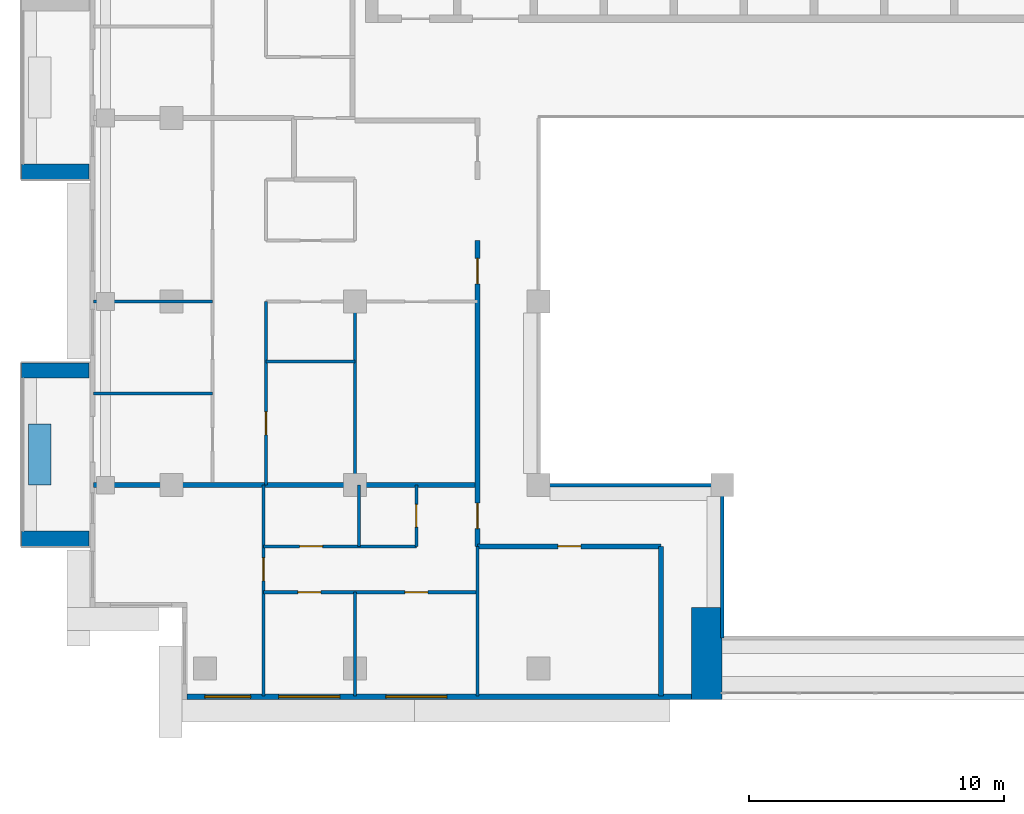
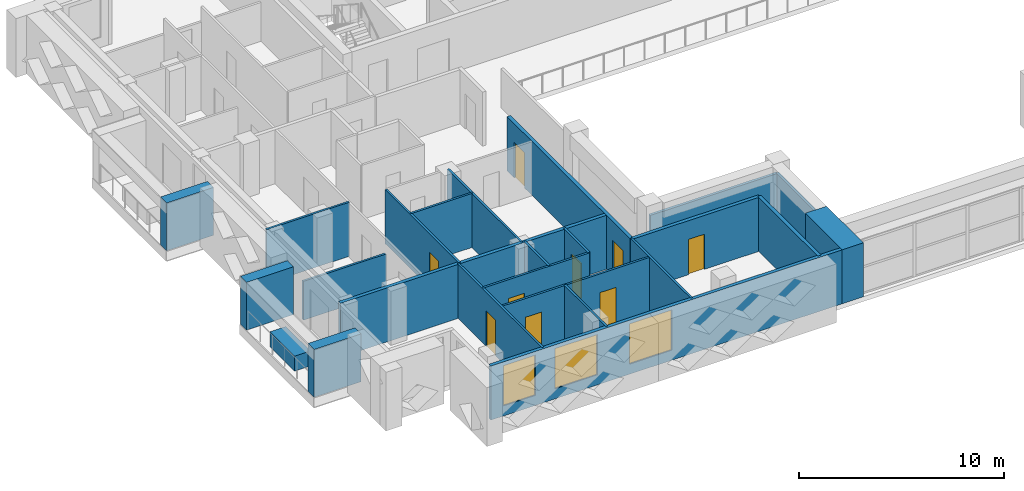
# One storey, part 6 of 19: 24 walls, 9 doors, 3 windows, 12 openings.
"""IFC4 building model written with IfcOpenShell, lengths in metres."""

import ifcopenshell
import ifcopenshell.guid

model = None  # the IFC model being written
_history = None  # IfcOwnerHistory: only IFC2X3 demands one
_inside = {}  # id of a spatial element -> (the spatial element, [elements in it])
_under = {}  # id of a project, library or spatial element -> (it, [spatial elements below it])
_declared = {}  # id of a project -> (the project, [libraries it declares])
_typed = {}  # id of a type object -> (the type object, [elements of that type])
_made_of = {}  # id of a material, layer set ... -> (it, [elements and type objects made of it])


def new_model(schema):
    """Start an empty IFC model of exactly this schema.

    Asked for "IFC4X3", IfcOpenShell would pick the latest addendum, in which some entities
    have other attributes; the version numbers below select the first issue.
    IFC2X3 requires an IfcOwnerHistory on every rooted entity: one is made here for all.
    """
    global model, _history
    if schema == "IFC4X3":
        model = ifcopenshell.file(schema_version=(4, 3, 0, 0))
    else:
        model = ifcopenshell.file(schema=schema)
    _inside.clear()
    _under.clear()
    _declared.clear()
    _typed.clear()
    _made_of.clear()
    _history = None
    if model.schema == "IFC2X3":
        org = make("IfcOrganization", Name="unknown")
        user = make(
            "IfcPersonAndOrganization",
            ThePerson=make("IfcPerson", FamilyName="unknown"),
            TheOrganization=org,
        )
        app = make(
            "IfcApplication",
            ApplicationDeveloper=org,
            Version="unknown",
            ApplicationFullName="unknown",
            ApplicationIdentifier="unknown",
        )
        _history = make(
            "IfcOwnerHistory",
            OwningUser=user,
            OwningApplication=app,
            ChangeAction="ADDED",
            CreationDate=0,
        )
    return model


def make(cls, **values):
    """One entity of the class cls with the attributes given. An attribute that is None is left unset."""
    return model.create_entity(
        cls, **{name: value for name, value in values.items() if value is not None}
    )


def rooted(cls, **values):
    """An entity with a GlobalId (a new one), such as an element, a storey or a relation."""
    return make(cls, GlobalId=ifcopenshell.guid.new(), OwnerHistory=_history, **values)


def si_unit(unit_type, name, prefix=None):
    """IfcSIUnit, for example si_unit("LENGTHUNIT", "METRE", prefix="MILLI")."""
    return make("IfcSIUnit", UnitType=unit_type, Prefix=prefix, Name=name)


def assignment(units):
    """IfcUnitAssignment: the units of a project."""
    return None if units is None else make("IfcUnitAssignment", Units=units)


def point(xyz):
    """IfcCartesianPoint."""
    return None if xyz is None else make("IfcCartesianPoint", Coordinates=xyz)


def direction(xyz):
    """IfcDirection."""
    return None if xyz is None else make("IfcDirection", DirectionRatios=xyz)


def frame(location, z_axis=None, x_axis=None):
    """IfcAxis2Placement3D, a coordinate frame: its origin and axes. An axis left out is left unset."""
    return make(
        "IfcAxis2Placement3D",
        Location=point(location),
        Axis=direction(z_axis),
        RefDirection=direction(x_axis),
    )


def frame_2d(location, x_axis=None):
    """IfcAxis2Placement2D, a coordinate frame in the plane: its origin and x axis."""
    return make(
        "IfcAxis2Placement2D", Location=point(location), RefDirection=direction(x_axis)
    )


def origin():
    """The frame at (0, 0, 0) with its axes left unset."""
    return frame((0.0, 0.0, 0.0))


def place(relative_to, where):
    """IfcLocalPlacement: puts the frame where relative to a parent placement (None: the world)."""
    return make(
        "IfcLocalPlacement", PlacementRelTo=relative_to, RelativePlacement=where
    )


def context(
    kind, dimensions, precision=None, world=None, true_north=None, identifier=None
):
    """IfcGeometricRepresentationContext, for example the 3D "Model" context."""
    return make(
        "IfcGeometricRepresentationContext",
        ContextIdentifier=identifier,
        ContextType=kind,
        CoordinateSpaceDimension=dimensions,
        Precision=precision,
        WorldCoordinateSystem=world,
        TrueNorth=true_north,
    )


def subcontext(parent, identifier, kind, view, scale=None):
    """IfcGeometricRepresentationSubContext, for example "Body" below "Model"."""
    return make(
        "IfcGeometricRepresentationSubContext",
        ContextIdentifier=identifier,
        ContextType=kind,
        ParentContext=parent,
        TargetScale=scale,
        TargetView=view,
    )


def project(units=None, contexts=None):
    """IfcProject with its units and contexts."""
    return rooted(
        "IfcProject",
        Name="project",
        RepresentationContexts=contexts,
        UnitsInContext=assignment(units),
    )


def spatial(cls, under=None, at=None, **own):
    """A site, building, storey or space (cls), placed at a placement, below another one or the project."""
    s = rooted(cls, ObjectPlacement=at, **own)
    if under is not None:
        _under.setdefault(under.id(), (under, []))[1].append(s)
    return s


def profile(cls, at=None, kind="AREA", **sizes):
    """A parametric profile (cls). Its sizes go by their IFC names, for example OverallWidth=200.0."""
    return make(cls, ProfileType=kind, Position=at, **sizes)


def rectangle(**sizes):
    """IfcRectangleProfileDef."""
    return profile("IfcRectangleProfileDef", **sizes)


def extrude(swept, where, along, depth):
    """IfcExtrudedAreaSolid: the profile swept, set in the frame where, extruded along a direction by depth."""
    return make(
        "IfcExtrudedAreaSolid",
        SweptArea=swept,
        Position=where,
        ExtrudedDirection=direction(along),
        Depth=depth,
    )


def shape(context_of_items, identifier, shape_type, items):
    """IfcShapeRepresentation: the items that make up one representation, for example the "Body"."""
    return make(
        "IfcShapeRepresentation",
        ContextOfItems=context_of_items,
        RepresentationIdentifier=identifier,
        RepresentationType=shape_type,
        Items=items,
    )


def material(Name=None, Category=None):
    """IfcMaterial."""
    return make("IfcMaterial", Name=Name, Category=Category)


def layer(
    of_material, thickness, ventilated=None, Name=None, Category=None, Priority=None
):
    """IfcMaterialLayer: one layer of a wall or slab, of a material (None: an air gap)."""
    return make(
        "IfcMaterialLayer",
        Material=of_material,
        LayerThickness=thickness,
        IsVentilated=ventilated,
        Name=Name,
        Category=Category,
        Priority=Priority,
    )


def layer_set(layers, Name=None):
    """IfcMaterialLayerSet."""
    return make("IfcMaterialLayerSet", MaterialLayers=layers, LayerSetName=Name)


def made_of(thing, what):
    """Note that an element or type object is made of a material, layer set ...; save() writes the relation."""
    if what is not None:
        _made_of.setdefault(what.id(), (what, []))[1].append(thing)
    return thing


def type_object(cls, material=None, **own):
    """A type object (cls), such as IfcWallType, which elements share."""
    return made_of(rooted(cls, **own), material)


def element(
    cls,
    number,
    at=None,
    inside=None,
    cuts=None,
    type_object=None,
    material=None,
    context=None,
    identifier="Body",
    shape_type=None,
    held_by="IfcProductDefinitionShape",
    body=None,
    shapes=None,
    **own,
):
    """One element of the class cls, such as IfcWall. Its Tag is "e" and its number.

    at: its placement. inside: the storey or other place that contains it. cuts: it is an
    opening in that element (IfcRelVoidsElement). A single representation is given by context,
    identifier, shape_type and body (its items); several are given by shapes. held_by: the class
    of the entity that holds the representations. save() writes the other relations.
    """
    e = rooted(cls, Tag="e%d" % number, ObjectPlacement=at, **own)
    if body is not None:
        shapes = [shape(context, identifier, shape_type, body)]
    if shapes is not None:
        e.Representation = make(held_by, Representations=shapes)
    if inside is not None:
        _inside.setdefault(inside.id(), (inside, []))[1].append(e)
    if cuts is not None:
        rooted(
            "IfcRelVoidsElement", RelatingBuildingElement=cuts, RelatedOpeningElement=e
        )
    if type_object is not None:
        _typed.setdefault(type_object.id(), (type_object, []))[1].append(e)
    return made_of(e, material)


def fill(opening, filler):
    """IfcRelFillsElement: the door or window that sits in an opening."""
    return rooted(
        "IfcRelFillsElement",
        RelatingOpeningElement=opening,
        RelatedBuildingElement=filler,
    )


def aggregate(whole, parts):
    """IfcRelAggregates: a whole, such as a stair, and the parts it consists of."""
    return rooted("IfcRelAggregates", RelatingObject=whole, RelatedObjects=parts)


def save(model, path):
    """Write the relations noted so far, then the file.

    IfcRelAggregates (storeys below a building ...), IfcRelContainedInSpatialStructure (elements
    in a storey), IfcRelDefinesByType, IfcRelAssociatesMaterial and IfcRelDeclares: one each for
    every whole, place, type object, material and project.
    """
    for whole, parts in _under.values():
        aggregate(whole, parts)
    for where, things in _inside.values():
        rooted(
            "IfcRelContainedInSpatialStructure",
            RelatedElements=things,
            RelatingStructure=where,
        )
    for kind, things in _typed.values():
        rooted("IfcRelDefinesByType", RelatedObjects=things, RelatingType=kind)
    for what, things in _made_of.values():
        rooted("IfcRelAssociatesMaterial", RelatedObjects=things, RelatingMaterial=what)
    for by, libraries in _declared.values():
        rooted("IfcRelDeclares", RelatingContext=by, RelatedDefinitions=libraries)
    model.write(path)


model = new_model("IFC4")

# Units and contexts
model_context = context("Model", 3, precision=1e-05, world=origin(), true_north=direction((0.0, 1.0)))
body_context = subcontext(model_context, "Body", "Model", "MODEL_VIEW")
ifc_project = project(units=[si_unit("LENGTHUNIT", "METRE"), si_unit("AREAUNIT", "SQUARE_METRE"), si_unit("VOLUMEUNIT", "CUBIC_METRE"), si_unit("PLANEANGLEUNIT", "RADIAN"), si_unit("MASSUNIT", "GRAM", prefix="KILO")], contexts=[model_context])

# Site, building, storey
site_placement = place(None, origin())
site = spatial("IfcSite", under=ifc_project, at=site_placement, CompositionType="ELEMENT")
building_placement = place(site_placement, origin())
building = spatial("IfcBuilding", under=site, at=building_placement, Name="Saffron Iwan Residences", CompositionType="ELEMENT")
storey_placement = place(building_placement, frame((0.0, 0.0, 229.0)))
storey = spatial("IfcBuildingStorey", under=building, at=storey_placement, Name="L61", CompositionType="ELEMENT", Elevation=229.0)

# Walls
ifc_material_1 = material(Name="Fire-rated glazing", Category="glass")
ifc_layer_1 = layer(ifc_material_1, 0.14990234375)
ifc_layer_set_1 = layer_set([ifc_layer_1], Name="Fire-rated glazing")
wall_type_1 = type_object("IfcWallType", Name="Atrium glazed screen 150", PredefinedType="SOLIDWALL", material=ifc_layer_set_1)
wall_1_placement = place(storey_placement, frame((36.0, 48.0, 0.0), z_axis=(0.0, 0.0, 1.0), x_axis=(1.0, 0.0, 0.0)))
element("IfcWall", 1, at=wall_1_placement, inside=storey, type_object=wall_type_1, Name="W-L61-SCREEN-h48-36", PredefinedType="SOLIDWALL", context=body_context, shape_type="SweptSolid", body=[
    extrude(rectangle(XDim=7.199951171875, YDim=0.14990234375, at=frame_2d((3.60009765625, 0.0))), origin(), (0.0, 0.0, 1.0), 2.320068359375),
])
wall_2_placement = place(storey_placement, frame((43.199951171875, 42.0, 0.0), z_axis=(0.0, 0.0, 1.0), x_axis=(0.0, 1.0, 0.0)))
element("IfcWall", 2, at=wall_2_placement, inside=storey, type_object=wall_type_1, Name="W-L61-SCREEN-v43.2-42", PredefinedType="SOLIDWALL", context=body_context, shape_type="SweptSolid", body=[
    extrude(rectangle(XDim=6.0, YDim=0.14990234375, at=frame_2d((3.0, 0.0))), origin(), (0.0, 0.0, 1.0), 2.320068359375),
])
ifc_material_2 = material(Name="Concrete C50/60 white painted", Category="concrete")
ifc_layer_2 = layer(ifc_material_2, 0.60009765625)
ifc_layer_set_2 = layer_set([ifc_layer_2], Name="Concrete C50/60 white painted")
wall_type_2 = type_object("IfcWallType", Name="BALCONY FIN 600", PredefinedType="SOLIDWALL", material=ifc_layer_set_2)
for number, where, z_axis, x_axis, name in (
    (3, (18.35009765625, 60.300048828125, 0.0), (0.0, 0.0, 1.0), (-1.0, 0.0, 0.0), "Balcony fin L61 F8-0b"),
    (4, (18.35009765625, 52.5, 0.0), (0.0, 0.0, 1.0), (-1.0, 0.0, 0.0), "Balcony fin L61 F8-1a"),
    (5, (18.35009765625, 45.89990234375, 0.0), (0.0, 0.0, 1.0), (-1.0, 0.0, 0.0), "Balcony fin L61 F8-1b"),
):
    element("IfcWall", number, at=place(storey_placement, frame(where, z_axis=z_axis, x_axis=x_axis)), inside=storey, type_object=wall_type_2, Name=name, PredefinedType="SOLIDWALL", context=body_context, shape_type="SweptSolid", body=[
        extrude(rectangle(XDim=2.650146484375, YDim=0.60009765625, at=frame_2d((1.3251953125, 0.0))), origin(), (0.0, 0.0, 1.0), 2.85009765625),
    ])
ifc_material_3 = material(Name="Concrete C35/45 white painted", Category="concrete")
ifc_layer_3 = layer(ifc_material_3, 0.14990234375)
ifc_layer_set_3 = layer_set([ifc_layer_3], Name="Concrete C35/45 white painted")
wall_type_3 = type_object("IfcWallType", Name="BALCONY PLANTER", PredefinedType="SOLIDWALL", material=ifc_layer_set_3)
wall_3_placement = place(storey_placement, frame((16.425048828125, 50.39990234375, 0.0), z_axis=(0.0, 0.0, 1.0), x_axis=(0.0, -1.0, 0.0)))
element("IfcWall", 6, at=wall_3_placement, inside=storey, type_object=wall_type_3, Name="PLANTER L61 F8-1", PredefinedType="SOLIDWALL", context=body_context, shape_type="SweptSolid", body=[
    extrude(rectangle(XDim=2.39990234375, YDim=0.89990234375, at=frame_2d((1.199951171875, 0.0))), origin(), (0.0, 0.0, 1.0), 0.89990234375),
])

# Wall, openings, windows
ifc_material_4 = material(Name="Concrete C40/50", Category="concrete")
ifc_layer_4 = layer(ifc_material_4, 0.199951171875)
ifc_layer_set_4 = layer_set([ifc_layer_4], Name="Concrete C40/50")
wall_type_4 = type_object("IfcWallType", Name="EXTERNAL WALL 200", PredefinedType="SOLIDWALL", material=ifc_layer_set_4)
wall_4_placement = place(storey_placement, frame((22.199951171875, 39.699951171875, 0.0), z_axis=(0.0, 0.0, 1.0), x_axis=(1.0, 0.0, 0.0)))
wall_4 = element("IfcWall", 7, at=wall_4_placement, inside=storey, type_object=wall_type_4, Name="External wall L61 F11.0", PredefinedType="SOLIDWALL", context=body_context, shape_type="SweptSolid", body=[
    extrude(rectangle(XDim=19.800048828125, YDim=0.199951171875, at=frame_2d((9.89990234375, 0.0))), origin(), (0.0, 0.0, 1.0), 3.219970703125),
])
opening_1_placement = place(wall_4_placement, frame((0.699951171875, 0.0, 0.60009765625)))
opening_1 = element("IfcOpeningElement", 8, at=opening_1_placement, cuts=wall_4, Name="Opening W8", PredefinedType="OPENING", context=body_context, shape_type="SweptSolid", body=[
    extrude(rectangle(XDim=1.800048828125, YDim=2.39990234375, at=frame_2d((0.89990234375, 1.199951171875))), frame((0.0, 0.10986328125, 0.0), z_axis=(0.0, -1.0, 0.0), x_axis=(1.0, 0.0, 0.0)), (0.0, 0.0, 1.0), 0.219970703125),
])
opening_2_placement = place(wall_4_placement, frame((3.60009765625, 0.0, 0.60009765625)))
opening_2 = element("IfcOpeningElement", 9, at=opening_2_placement, cuts=wall_4, Name="Opening W1", PredefinedType="OPENING", context=body_context, shape_type="SweptSolid", body=[
    extrude(rectangle(XDim=2.39990234375, YDim=2.39990234375, at=frame_2d((1.199951171875, 1.199951171875))), frame((0.0, 0.10986328125, 0.0), z_axis=(0.0, -1.0, 0.0), x_axis=(1.0, 0.0, 0.0)), (0.0, 0.0, 1.0), 0.219970703125),
])
opening_3_placement = place(wall_4_placement, frame((7.800048828125, 0.0, 0.60009765625)))
opening_3 = element("IfcOpeningElement", 10, at=opening_3_placement, cuts=wall_4, Name="Opening W1", PredefinedType="OPENING", context=body_context, shape_type="SweptSolid", body=[
    extrude(rectangle(XDim=2.39990234375, YDim=2.39990234375, at=frame_2d((1.199951171875, 1.199951171875))), frame((0.0, 0.10986328125, 0.0), z_axis=(0.0, -1.0, 0.0), x_axis=(1.0, 0.0, 0.0)), (0.0, 0.0, 1.0), 0.219970703125),
])
ifc_material_5 = material(Name="Clear glass, laminated double glazed", Category="glass")
window_type_1 = type_object("IfcWindowType", Name="WINDOW 1800 x 2400", PartitioningType="DOUBLE_PANEL_VERTICAL", PredefinedType="WINDOW", material=ifc_material_5)
window_1_placement = place(opening_1_placement, origin())
window_1 = element("IfcWindow", 11, at=window_1_placement, inside=storey, type_object=window_type_1, Name="Window L61 F11.0", OverallHeight=2.39990234375, OverallWidth=1.800048828125, PartitioningType="DOUBLE_PANEL_VERTICAL", PredefinedType="WINDOW", context=body_context, shape_type="SweptSolid", body=[
    extrude(rectangle(XDim=1.800048828125, YDim=2.39990234375, at=frame_2d((0.89990234375, 1.199951171875))), frame((0.0, 0.030029296875, 0.0), z_axis=(0.0, -1.0, 0.0), x_axis=(1.0, 0.0, 0.0)), (0.0, 0.0, 1.0), 0.06005859375),
])
fill(opening_1, window_1)
window_type_2 = type_object("IfcWindowType", Name="WINDOW 2400 x 2400", PartitioningType="DOUBLE_PANEL_VERTICAL", PredefinedType="WINDOW", material=ifc_material_5)
window_2_placement = place(opening_2_placement, origin())
window_2 = element("IfcWindow", 12, at=window_2_placement, inside=storey, type_object=window_type_2, Name="Window L61 F11.1", OverallHeight=2.39990234375, OverallWidth=2.39990234375, PartitioningType="DOUBLE_PANEL_VERTICAL", PredefinedType="WINDOW", context=body_context, shape_type="SweptSolid", body=[
    extrude(rectangle(XDim=2.39990234375, YDim=2.39990234375, at=frame_2d((1.199951171875, 1.199951171875))), frame((0.0, 0.030029296875, 0.0), z_axis=(0.0, -1.0, 0.0), x_axis=(1.0, 0.0, 0.0)), (0.0, 0.0, 1.0), 0.06005859375),
])
fill(opening_2, window_2)
window_3_placement = place(opening_3_placement, origin())
window_3 = element("IfcWindow", 13, at=window_3_placement, inside=storey, type_object=window_type_2, Name="Window L61 F11.2", OverallHeight=2.39990234375, OverallWidth=2.39990234375, PartitioningType="DOUBLE_PANEL_VERTICAL", PredefinedType="WINDOW", context=body_context, shape_type="SweptSolid", body=[
    extrude(rectangle(XDim=2.39990234375, YDim=2.39990234375, at=frame_2d((1.199951171875, 1.199951171875))), frame((0.0, 0.030029296875, 0.0), z_axis=(0.0, -1.0, 0.0), x_axis=(1.0, 0.0, 0.0)), (0.0, 0.0, 1.0), 0.06005859375),
])
fill(opening_3, window_3)

# Wall
ifc_material_6 = material(Name="Fire-rated gypsum board wall")
ifc_layer_5 = layer(ifc_material_6, 0.199951171875)
ifc_layer_set_5 = layer_set([ifc_layer_5], Name="Fire-rated gypsum board wall")
wall_type_5 = type_object("IfcWallType", Name="Flat demising wall 200", PredefinedType="SOLIDWALL", material=ifc_layer_set_5)
wall_5_placement = place(storey_placement, frame((18.52490234375, 48.0, 0.0), z_axis=(0.0, 0.0, 1.0), x_axis=(1.0, 0.0, 0.0)))
element("IfcWall", 14, at=wall_5_placement, inside=storey, type_object=wall_type_5, Name="W-L61-DEMISE-h48-18.525", PredefinedType="SOLIDWALL", context=body_context, shape_type="SweptSolid", body=[
    extrude(rectangle(XDim=15.0751953125, YDim=0.199951171875, at=frame_2d((7.53759765625, 0.0))), origin(), (0.0, 0.0, 1.0), 3.219970703125),
])

# Wall, openings, doors
ifc_material_7 = material(Name="Gypsum board partition")
ifc_layer_6 = layer(ifc_material_7, 0.1201171875)
ifc_layer_set_6 = layer_set([ifc_layer_6], Name="Gypsum board partition")
wall_type_6 = type_object("IfcWallType", Name="Flat partition 120", PredefinedType="PARTITIONING", material=ifc_layer_set_6)
wall_6_placement = place(storey_placement, frame((25.199951171875, 43.800048828125, 0.0), z_axis=(0.0, 0.0, 1.0), x_axis=(1.0, 0.0, 0.0)))
wall_6 = element("IfcWall", 15, at=wall_6_placement, inside=storey, type_object=wall_type_6, Name="W-L61-PART-h43.8-25.2", PredefinedType="PARTITIONING", context=body_context, shape_type="SweptSolid", body=[
    extrude(rectangle(XDim=8.400146484375, YDim=0.1201171875, at=frame_2d((4.2001953125, 0.0))), origin(), (0.0, 0.0, 1.0), 3.219970703125),
])
opening_4_placement = place(wall_6_placement, frame((1.35009765625, 0.0, 0.0)))
opening_4 = element("IfcOpeningElement", 16, at=opening_4_placement, cuts=wall_6, Name="Opening FD2", PredefinedType="OPENING", context=body_context, shape_type="SweptSolid", body=[
    extrude(rectangle(XDim=0.89990234375, YDim=2.10009765625, at=frame_2d((0.449951171875, 1.050048828125))), frame((0.0, 0.070068359375, 0.0), z_axis=(0.0, -1.0, 0.0), x_axis=(1.0, 0.0, 0.0)), (0.0, 0.0, 1.0), 0.14013671875),
])
opening_5_placement = place(wall_6_placement, frame((5.550048828125, 0.0, 0.0)))
opening_5 = element("IfcOpeningElement", 17, at=opening_5_placement, cuts=wall_6, Name="Opening FD2", PredefinedType="OPENING", context=body_context, shape_type="SweptSolid", body=[
    extrude(rectangle(XDim=0.89990234375, YDim=2.10009765625, at=frame_2d((0.449951171875, 1.050048828125))), frame((0.0, 0.070068359375, 0.0), z_axis=(0.0, -1.0, 0.0), x_axis=(1.0, 0.0, 0.0)), (0.0, 0.0, 1.0), 0.14013671875),
])
ifc_material_8 = material(Name="Timber door", Category="wood")
door_type_1 = type_object("IfcDoorType", Name="Flat door 900", OperationType="NOTDEFINED", PredefinedType="DOOR", material=ifc_material_8)
door_1_placement = place(opening_4_placement, origin())
door_1 = element("IfcDoor", 18, at=door_1_placement, inside=storey, type_object=door_type_1, Name="Door L61-003", OperationType="SINGLE_SWING_RIGHT", OverallHeight=2.10009765625, OverallWidth=0.89990234375, PredefinedType="DOOR", context=body_context, shape_type="SweptSolid", body=[
    extrude(rectangle(XDim=0.89990234375, YDim=2.10009765625, at=frame_2d((0.449951171875, 1.050048828125))), frame((0.0, 0.02490234375, 0.0), z_axis=(0.0, -1.0, 0.0), x_axis=(1.0, 0.0, 0.0)), (0.0, 0.0, 1.0), 0.050048828125),
])
fill(opening_4, door_1)
door_2_placement = place(opening_5_placement, origin())
door_2 = element("IfcDoor", 19, at=door_2_placement, inside=storey, type_object=door_type_1, Name="Door L61-004", OperationType="SINGLE_SWING_LEFT", OverallHeight=2.10009765625, OverallWidth=0.89990234375, PredefinedType="DOOR", context=body_context, shape_type="SweptSolid", body=[
    extrude(rectangle(XDim=0.89990234375, YDim=2.10009765625, at=frame_2d((0.449951171875, 1.050048828125))), frame((0.0, 0.02490234375, 0.0), z_axis=(0.0, -1.0, 0.0), x_axis=(1.0, 0.0, 0.0)), (0.0, 0.0, 1.0), 0.050048828125),
])
fill(opening_5, door_2)

# Wall, opening, door
wall_7_placement = place(storey_placement, frame((25.199951171875, 45.60009765625, 0.0), z_axis=(0.0, 0.0, 1.0), x_axis=(1.0, 0.0, 0.0)))
wall_7 = element("IfcWall", 20, at=wall_7_placement, inside=storey, type_object=wall_type_6, Name="W-L61-PART-h45.6-25.2", PredefinedType="PARTITIONING", context=body_context, shape_type="SweptSolid", body=[
    extrude(rectangle(XDim=6.0, YDim=0.1201171875, at=frame_2d((3.0, 0.0))), origin(), (0.0, 0.0, 1.0), 3.219970703125),
])
opening_6_placement = place(wall_7_placement, frame((1.425048828125, 0.0, 0.0)))
opening_6 = element("IfcOpeningElement", 21, at=opening_6_placement, cuts=wall_7, Name="Opening FD2", PredefinedType="OPENING", context=body_context, shape_type="SweptSolid", body=[
    extrude(rectangle(XDim=0.89990234375, YDim=2.10009765625, at=frame_2d((0.449951171875, 1.050048828125))), frame((0.0, 0.070068359375, 0.0), z_axis=(0.0, -1.0, 0.0), x_axis=(1.0, 0.0, 0.0)), (0.0, 0.0, 1.0), 0.14013671875),
])
door_3_placement = place(opening_6_placement, origin())
door_3 = element("IfcDoor", 22, at=door_3_placement, inside=storey, type_object=door_type_1, Name="Door L61-005", OperationType="SINGLE_SWING_LEFT", OverallHeight=2.10009765625, OverallWidth=0.89990234375, PredefinedType="DOOR", context=body_context, shape_type="SweptSolid", body=[
    extrude(rectangle(XDim=0.89990234375, YDim=2.10009765625, at=frame_2d((0.449951171875, 1.050048828125))), frame((0.0, 0.02490234375, 0.0), z_axis=(0.0, -1.0, 0.0), x_axis=(1.0, 0.0, 0.0)), (0.0, 0.0, 1.0), 0.050048828125),
])
fill(opening_6, door_3)

# Walls
wall_8_placement = place(storey_placement, frame((18.52490234375, 51.60009765625, 0.0), z_axis=(0.0, 0.0, 1.0), x_axis=(1.0, 0.0, 0.0)))
element("IfcWall", 23, at=wall_8_placement, inside=storey, type_object=wall_type_6, Name="W-L61-PART-h51.6-18.525", PredefinedType="PARTITIONING", context=body_context, shape_type="SweptSolid", body=[
    extrude(rectangle(XDim=4.675048828125, YDim=0.1201171875, at=frame_2d((2.33740234375, 0.0))), origin(), (0.0, 0.0, 1.0), 2.320068359375),
])
wall_9_placement = place(storey_placement, frame((25.300048828125, 52.85009765625, 0.0), z_axis=(0.0, 0.0, 1.0), x_axis=(1.0, 0.0, 0.0)))
element("IfcWall", 24, at=wall_9_placement, inside=storey, type_object=wall_type_6, Name="W-L61-PART-h52.85-25.3", PredefinedType="PARTITIONING", context=body_context, shape_type="SweptSolid", body=[
    extrude(rectangle(XDim=3.5, YDim=0.1201171875, at=frame_2d((1.75, 0.0))), origin(), (0.0, 0.0, 1.0), 3.219970703125),
])
wall_10_placement = place(storey_placement, frame((18.52490234375, 55.199951171875, 0.0), z_axis=(0.0, 0.0, 1.0), x_axis=(1.0, 0.0, 0.0)))
element("IfcWall", 25, at=wall_10_placement, inside=storey, type_object=wall_type_6, Name="W-L61-PART-h55.2-18.525", PredefinedType="PARTITIONING", context=body_context, shape_type="SweptSolid", body=[
    extrude(rectangle(XDim=4.675048828125, YDim=0.1201171875, at=frame_2d((2.33740234375, 0.0))), origin(), (0.0, 0.0, 1.0), 3.219970703125),
])

# Wall, opening, door
wall_11_placement = place(storey_placement, frame((25.199951171875, 39.72509765625, 0.0), z_axis=(0.0, 0.0, 1.0), x_axis=(0.0, 1.0, 0.0)))
wall_11 = element("IfcWall", 26, at=wall_11_placement, inside=storey, type_object=wall_type_6, Name="W-L61-PART-v25.2-39.725", PredefinedType="PARTITIONING", context=body_context, shape_type="SweptSolid", body=[
    extrude(rectangle(XDim=8.27490234375, YDim=0.1201171875, at=frame_2d((4.137451171875, 0.0))), origin(), (0.0, 0.0, 1.0), 3.219970703125),
])
opening_7_placement = place(wall_11_placement, frame((4.52490234375, 0.0, 0.0)))
opening_7 = element("IfcOpeningElement", 27, at=opening_7_placement, cuts=wall_11, Name="Opening FD2", PredefinedType="OPENING", context=body_context, shape_type="SweptSolid", body=[
    extrude(rectangle(XDim=0.89990234375, YDim=2.10009765625, at=frame_2d((0.449951171875, 1.050048828125))), frame((0.0, 0.070068359375, 0.0), z_axis=(0.0, -1.0, 0.0), x_axis=(1.0, 0.0, 0.0)), (0.0, 0.0, 1.0), 0.14013671875),
])
door_4_placement = place(opening_7_placement, origin())
door_4 = element("IfcDoor", 28, at=door_4_placement, inside=storey, type_object=door_type_1, Name="Door L61-002", OperationType="SINGLE_SWING_LEFT", OverallHeight=2.10009765625, OverallWidth=0.89990234375, PredefinedType="DOOR", context=body_context, shape_type="SweptSolid", body=[
    extrude(rectangle(XDim=0.89990234375, YDim=2.10009765625, at=frame_2d((0.449951171875, 1.050048828125))), frame((0.0, 0.02490234375, 0.0), z_axis=(0.0, -1.0, 0.0), x_axis=(1.0, 0.0, 0.0)), (0.0, 0.0, 1.0), 0.050048828125),
])
fill(opening_7, door_4)

wall_12_placement = place(storey_placement, frame((25.300048828125, 48.0, 0.0), z_axis=(0.0, 0.0, 1.0), x_axis=(0.0, 1.0, 0.0)))
wall_12 = element("IfcWall", 29, at=wall_12_placement, inside=storey, type_object=wall_type_6, Name="W-L61-PART-v25.3-48", PredefinedType="PARTITIONING", context=body_context, shape_type="SweptSolid", body=[
    extrude(rectangle(XDim=7.199951171875, YDim=0.1201171875, at=frame_2d((3.60009765625, 0.0))), origin(), (0.0, 0.0, 1.0), 3.219970703125),
])
opening_8_placement = place(wall_12_placement, frame((1.97509765625, 0.0, 0.0)))
opening_8 = element("IfcOpeningElement", 30, at=opening_8_placement, cuts=wall_12, Name="Opening FD2", PredefinedType="OPENING", context=body_context, shape_type="SweptSolid", body=[
    extrude(rectangle(XDim=0.89990234375, YDim=2.10009765625, at=frame_2d((0.449951171875, 1.050048828125))), frame((0.0, 0.070068359375, 0.0), z_axis=(0.0, -1.0, 0.0), x_axis=(1.0, 0.0, 0.0)), (0.0, 0.0, 1.0), 0.14013671875),
])
door_5_placement = place(opening_8_placement, origin())
door_5 = element("IfcDoor", 31, at=door_5_placement, inside=storey, type_object=door_type_1, Name="Door L61-012", OperationType="SINGLE_SWING_RIGHT", OverallHeight=2.10009765625, OverallWidth=0.89990234375, PredefinedType="DOOR", context=body_context, shape_type="SweptSolid", body=[
    extrude(rectangle(XDim=0.89990234375, YDim=2.10009765625, at=frame_2d((0.449951171875, 1.050048828125))), frame((0.0, 0.02490234375, 0.0), z_axis=(0.0, -1.0, 0.0), x_axis=(1.0, 0.0, 0.0)), (0.0, 0.0, 1.0), 0.050048828125),
])
fill(opening_8, door_5)

# Walls
wall_13_placement = place(storey_placement, frame((28.800048828125, 39.72509765625, 0.0), z_axis=(0.0, 0.0, 1.0), x_axis=(0.0, 1.0, 0.0)))
element("IfcWall", 32, at=wall_13_placement, inside=storey, type_object=wall_type_6, Name="W-L61-PART-v28.8-39.725", PredefinedType="PARTITIONING", context=body_context, shape_type="SweptSolid", body=[
    extrude(rectangle(XDim=4.074951171875, YDim=0.1201171875, at=frame_2d((2.03759765625, 0.0))), origin(), (0.0, 0.0, 1.0), 3.219970703125),
])
wall_14_placement = place(storey_placement, frame((28.800048828125, 48.0, 0.0), z_axis=(0.0, 0.0, 1.0), x_axis=(0.0, 1.0, 0.0)))
element("IfcWall", 33, at=wall_14_placement, inside=storey, type_object=wall_type_6, Name="W-L61-PART-v28.8-48", PredefinedType="PARTITIONING", context=body_context, shape_type="SweptSolid", body=[
    extrude(rectangle(XDim=7.199951171875, YDim=0.1201171875, at=frame_2d((3.60009765625, 0.0))), origin(), (0.0, 0.0, 1.0), 3.219970703125),
])
wall_15_placement = place(storey_placement, frame((28.949951171875, 45.60009765625, 0.0), z_axis=(0.0, 0.0, 1.0), x_axis=(0.0, 1.0, 0.0)))
element("IfcWall", 34, at=wall_15_placement, inside=storey, type_object=wall_type_6, Name="W-L61-PART-v28.95-45.6", PredefinedType="PARTITIONING", context=body_context, shape_type="SweptSolid", body=[
    extrude(rectangle(XDim=2.39990234375, YDim=0.1201171875, at=frame_2d((1.199951171875, 0.0))), origin(), (0.0, 0.0, 1.0), 3.219970703125),
])

# Wall, opening, door
wall_16_placement = place(storey_placement, frame((31.199951171875, 45.60009765625, 0.0), z_axis=(0.0, 0.0, 1.0), x_axis=(0.0, 1.0, 0.0)))
wall_16 = element("IfcWall", 35, at=wall_16_placement, inside=storey, type_object=wall_type_6, Name="W-L61-PART-v31.2-45.6", PredefinedType="PARTITIONING", context=body_context, shape_type="SweptSolid", body=[
    extrude(rectangle(XDim=2.39990234375, YDim=0.1201171875, at=frame_2d((1.199951171875, 0.0))), origin(), (0.0, 0.0, 1.0), 3.219970703125),
])
opening_9_placement = place(wall_16_placement, frame((0.75, 0.0, 0.0)))
opening_9 = element("IfcOpeningElement", 36, at=opening_9_placement, cuts=wall_16, Name="Opening FD2", PredefinedType="OPENING", context=body_context, shape_type="SweptSolid", body=[
    extrude(rectangle(XDim=0.89990234375, YDim=2.10009765625, at=frame_2d((0.449951171875, 1.050048828125))), frame((0.0, 0.070068359375, 0.0), z_axis=(0.0, -1.0, 0.0), x_axis=(1.0, 0.0, 0.0)), (0.0, 0.0, 1.0), 0.14013671875),
])
door_6_placement = place(opening_9_placement, origin())
door_6 = element("IfcDoor", 37, at=door_6_placement, inside=storey, type_object=door_type_1, Name="Door L61-006", OperationType="SINGLE_SWING_RIGHT", OverallHeight=2.10009765625, OverallWidth=0.89990234375, PredefinedType="DOOR", context=body_context, shape_type="SweptSolid", body=[
    extrude(rectangle(XDim=0.89990234375, YDim=2.10009765625, at=frame_2d((0.449951171875, 1.050048828125))), frame((0.0, 0.02490234375, 0.0), z_axis=(0.0, -1.0, 0.0), x_axis=(1.0, 0.0, 0.0)), (0.0, 0.0, 1.0), 0.050048828125),
])
fill(opening_9, door_6)

# Wall
wall_17_placement = place(storey_placement, frame((33.60009765625, 39.72509765625, 0.0), z_axis=(0.0, 0.0, 1.0), x_axis=(0.0, 1.0, 0.0)))
element("IfcWall", 38, at=wall_17_placement, inside=storey, type_object=wall_type_6, Name="W-L61-PART-v33.6-39.725", PredefinedType="PARTITIONING", context=body_context, shape_type="SweptSolid", body=[
    extrude(rectangle(XDim=5.875, YDim=0.1201171875, at=frame_2d((2.9375, 0.0))), origin(), (0.0, 0.0, 1.0), 3.219970703125),
])

# Wall, opening, door
ifc_layer_7 = layer(ifc_material_6, 0.199951171875)
ifc_layer_set_7 = layer_set([ifc_layer_7], Name="Fire-rated gypsum board wall")
wall_type_7 = type_object("IfcWallType", Name="Gallery wall 200", PredefinedType="SOLIDWALL", material=ifc_layer_set_7)
wall_18_placement = place(storey_placement, frame((33.60009765625, 45.60009765625, 0.0), z_axis=(0.0, 0.0, 1.0), x_axis=(1.0, 0.0, 0.0)))
wall_18 = element("IfcWall", 39, at=wall_18_placement, inside=storey, type_object=wall_type_7, Name="W-L61-CORR-h45.6-33.6", PredefinedType="SOLIDWALL", context=body_context, shape_type="SweptSolid", body=[
    extrude(rectangle(XDim=7.199951171875, YDim=0.199951171875, at=frame_2d((3.60009765625, 0.0))), origin(), (0.0, 0.0, 1.0), 3.219970703125),
])
opening_10_placement = place(wall_18_placement, frame((3.14990234375, 0.0, 0.0)))
opening_10 = element("IfcOpeningElement", 40, at=opening_10_placement, cuts=wall_18, Name="Opening FD2", PredefinedType="OPENING", context=body_context, shape_type="SweptSolid", body=[
    extrude(rectangle(XDim=0.89990234375, YDim=2.10009765625, at=frame_2d((0.449951171875, 1.050048828125))), frame((0.0, 0.10986328125, 0.0), z_axis=(0.0, -1.0, 0.0), x_axis=(1.0, 0.0, 0.0)), (0.0, 0.0, 1.0), 0.219970703125),
])
door_7_placement = place(opening_10_placement, origin())
door_7 = element("IfcDoor", 41, at=door_7_placement, inside=storey, type_object=door_type_1, Name="Door L61-007", OperationType="SINGLE_SWING_LEFT", OverallHeight=2.10009765625, OverallWidth=0.89990234375, PredefinedType="DOOR", context=body_context, shape_type="SweptSolid", body=[
    extrude(rectangle(XDim=0.89990234375, YDim=2.10009765625, at=frame_2d((0.449951171875, 1.050048828125))), frame((0.0, 0.02490234375, 0.0), z_axis=(0.0, -1.0, 0.0), x_axis=(1.0, 0.0, 0.0)), (0.0, 0.0, 1.0), 0.050048828125),
])
fill(opening_10, door_7)

# Wall, openings, doors
wall_19_placement = place(storey_placement, frame((33.60009765625, 45.60009765625, 0.0), z_axis=(0.0, 0.0, 1.0), x_axis=(0.0, 1.0, 0.0)))
wall_19 = element("IfcWall", 42, at=wall_19_placement, inside=storey, type_object=wall_type_7, Name="W-L61-CORR-v33.6-45.6", PredefinedType="SOLIDWALL", context=body_context, shape_type="SweptSolid", body=[
    extrude(rectangle(XDim=12.0, YDim=0.199951171875, at=frame_2d((6.0, 0.0))), origin(), (0.0, 0.0, 1.0), 3.219970703125),
])
opening_11_placement = place(wall_19_placement, frame((0.699951171875, 0.0, 0.0)))
opening_11 = element("IfcOpeningElement", 43, at=opening_11_placement, cuts=wall_19, Name="Opening FD1", PredefinedType="OPENING", context=body_context, shape_type="SweptSolid", body=[
    extrude(rectangle(XDim=1.0, YDim=2.10009765625, at=frame_2d((0.5, 1.050048828125))), frame((0.0, 0.10986328125, 0.0), z_axis=(0.0, -1.0, 0.0), x_axis=(1.0, 0.0, 0.0)), (0.0, 0.0, 1.0), 0.219970703125),
])
opening_12_placement = place(wall_19_placement, frame((10.300048828125, 0.0, 0.0)))
opening_12 = element("IfcOpeningElement", 44, at=opening_12_placement, cuts=wall_19, Name="Opening FD1", PredefinedType="OPENING", context=body_context, shape_type="SweptSolid", body=[
    extrude(rectangle(XDim=1.0, YDim=2.10009765625, at=frame_2d((0.5, 1.050048828125))), frame((0.0, 0.10986328125, 0.0), z_axis=(0.0, -1.0, 0.0), x_axis=(1.0, 0.0, 0.0)), (0.0, 0.0, 1.0), 0.219970703125),
])
ifc_material_9 = material(Name="Fire-rated timber door", Category="wood")
door_type_2 = type_object("IfcDoorType", Name="FD30S flat entrance door 1000", OperationType="NOTDEFINED", PredefinedType="DOOR", material=ifc_material_9)
door_8_placement = place(opening_11_placement, origin())
door_8 = element("IfcDoor", 45, at=door_8_placement, inside=storey, type_object=door_type_2, Name="Door L61-001", OperationType="SINGLE_SWING_LEFT", OverallHeight=2.10009765625, OverallWidth=1.0, PredefinedType="DOOR", context=body_context, shape_type="SweptSolid", body=[
    extrude(rectangle(XDim=1.0, YDim=2.10009765625, at=frame_2d((0.5, 1.050048828125))), frame((0.0, 0.02490234375, 0.0), z_axis=(0.0, -1.0, 0.0), x_axis=(1.0, 0.0, 0.0)), (0.0, 0.0, 1.0), 0.050048828125),
])
fill(opening_11, door_8)
door_9_placement = place(opening_12_placement, origin())
door_9 = element("IfcDoor", 46, at=door_9_placement, inside=storey, type_object=door_type_2, Name="Door L61-008", OperationType="SINGLE_SWING_LEFT", OverallHeight=2.10009765625, OverallWidth=1.0, PredefinedType="DOOR", context=body_context, shape_type="SweptSolid", body=[
    extrude(rectangle(XDim=1.0, YDim=2.10009765625, at=frame_2d((0.5, 1.050048828125))), frame((0.0, 0.02490234375, 0.0), z_axis=(0.0, -1.0, 0.0), x_axis=(1.0, 0.0, 0.0)), (0.0, 0.0, 1.0), 0.050048828125),
])
fill(opening_12, door_9)

# Walls
wall_20_placement = place(storey_placement, frame((40.800048828125, 39.72509765625, 0.0), z_axis=(0.0, 0.0, 1.0), x_axis=(0.0, 1.0, 0.0)))
element("IfcWall", 47, at=wall_20_placement, inside=storey, type_object=wall_type_7, Name="W-L61-CORR-v40.8-39.725", PredefinedType="SOLIDWALL", context=body_context, shape_type="SweptSolid", body=[
    extrude(rectangle(XDim=5.875, YDim=0.199951171875, at=frame_2d((2.9375, 0.0))), origin(), (0.0, 0.0, 1.0), 3.219970703125),
])
ifc_layer_8 = layer(ifc_material_4, 1.199951171875)
ifc_layer_set_8 = layer_set([ifc_layer_8], Name="Concrete C40/50")
wall_type_8 = type_object("IfcWallType", Name="WALL IWAN PIER 1200 C40/50 3220 HIGH", PredefinedType="SHEAR", material=ifc_layer_set_8)
wall_21_placement = place(storey_placement, frame((42.60009765625, 39.60009765625, 0.0), z_axis=(0.0, 0.0, 1.0), x_axis=(0.0, 1.0, 0.0)))
element("IfcWall", 48, at=wall_21_placement, inside=storey, type_object=wall_type_8, Name="IWAN PIER", PredefinedType="SHEAR", context=body_context, shape_type="SweptSolid", body=[
    extrude(rectangle(XDim=3.599853515625, YDim=1.199951171875, at=frame_2d((1.7998046875, 0.0))), origin(), (0.0, 0.0, 1.0), 3.219970703125),
])

save(model, "model.ifc")
